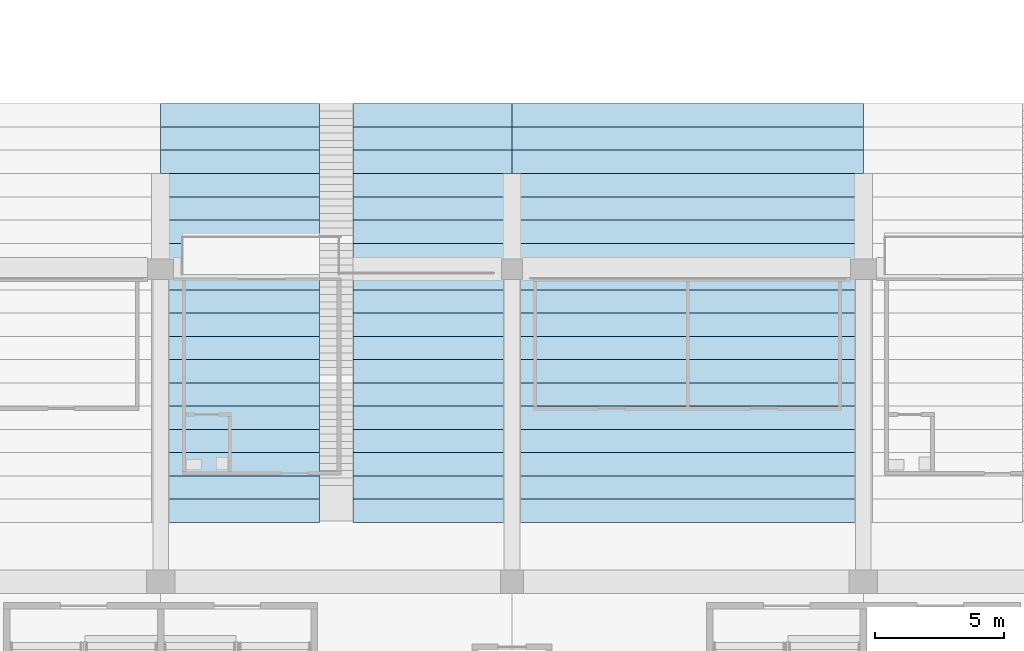
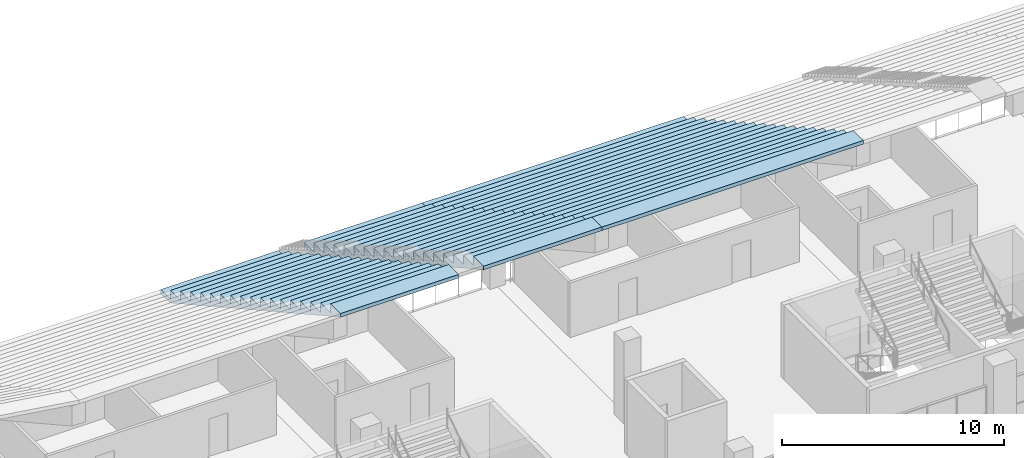
# One storey, part 117 of 249: 2 slabs.
"""IFC4 building model written with IfcOpenShell, lengths in metres."""

from ifc_helpers import new_model, si_unit, direction, frame, origin, place, context, subcontext, project, spatial, faceted_brep, material, layer, layer_set, type_object, element, save


model = new_model("IFC4")

# Units and contexts
model_context = context("Model", 3, precision=1e-05, world=origin(), true_north=direction((0.0, 1.0)))
body_context = subcontext(model_context, "Body", "Model", "MODEL_VIEW")
ifc_project = project(units=[si_unit("LENGTHUNIT", "METRE"), si_unit("AREAUNIT", "SQUARE_METRE"), si_unit("VOLUMEUNIT", "CUBIC_METRE"), si_unit("PLANEANGLEUNIT", "RADIAN"), si_unit("MASSUNIT", "GRAM", prefix="KILO")], contexts=[model_context])

# Site, building, storey
site_placement = place(None, origin())
site = spatial("IfcSite", under=ifc_project, at=site_placement, CompositionType="ELEMENT")
building_placement = place(site_placement, origin())
building = spatial("IfcBuilding", under=site, at=building_placement, Name="Ogive Plaza Stadium", CompositionType="ELEMENT")
storey_placement = place(building_placement, frame((0.0, 0.0, 13.5)))
storey = spatial("IfcBuildingStorey", under=building, at=storey_placement, Name="L03", CompositionType="ELEMENT", Elevation=13.5)

# Slabs
ifc_material = material(Name="Concrete C45/55 precast", Category="concrete")
ifc_layer = layer(ifc_material, 0.699951171875)
ifc_layer_set = layer_set([ifc_layer], Name="Concrete C45/55 precast")
slab_type = type_object("IfcSlabType", Name="Seating tier UT 700", PredefinedType="USERDEFINED", material=ifc_layer_set)
slab_1_placement = place(storey_placement, origin())
element("IfcSlab", 1, at=slab_1_placement, inside=storey, type_object=slab_type, Name="Stand UT B14", ObjectType="SEATING TIER", PredefinedType="USERDEFINED", context=body_context, shape_type="Brep", body=[
    faceted_brep([(-6.800048828125, -74.0, 0.5), (-6.800048828125, -74.89990234375, 0.5), (6.800048828125, -74.89990234375, 0.5), (6.800048828125, -74.0, 0.5), (-6.800048828125, -74.89990234375, 0.300048828125), (6.800048828125, -74.0, 0.25), (6.800048828125, -74.89990234375, 0.300048828125), (-6.800048828125, -74.0, 0.25), (6.800048828125, -74.89990234375, 1.0), (-6.800048828125, -74.89990234375, 1.0), (6.800048828125, -75.800048828125, 1.0), (6.800048828125, -75.800048828125, 0.800048828125), (6.800048828125, -75.800048828125, 1.5), (6.800048828125, -76.699951171875, 1.5), (6.800048828125, -76.699951171875, 1.300048828125), (6.800048828125, -76.699951171875, 2.0), (6.800048828125, -77.60009765625, 2.0), (6.800048828125, -77.60009765625, 1.800048828125), (6.800048828125, -77.60009765625, 2.5), (6.800048828125, -78.5, 2.5), (6.800048828125, -78.5, 2.300048828125), (6.800048828125, -78.5, 3.0), (6.800048828125, -79.39990234375, 3.0), (6.800048828125, -79.39990234375, 2.800048828125), (6.800048828125, -79.39990234375, 3.5), (6.800048828125, -80.300048828125, 3.5), (6.800048828125, -80.300048828125, 3.300048828125), (6.800048828125, -80.300048828125, 4.0), (6.800048828125, -81.199951171875, 4.0), (6.800048828125, -81.199951171875, 3.800048828125), (6.800048828125, -81.199951171875, 4.5), (6.800048828125, -82.10009765625, 4.5), (6.800048828125, -82.10009765625, 4.300048828125), (6.800048828125, -82.10009765625, 5.0), (6.800048828125, -83.0, 5.0), (6.800048828125, -83.0, 4.800048828125), (6.800048828125, -83.0, 5.5), (6.800048828125, -83.89990234375, 5.5), (6.800048828125, -83.89990234375, 5.300048828125), (6.800048828125, -83.89990234375, 6.0), (6.800048828125, -84.800048828125, 6.0), (6.800048828125, -84.800048828125, 5.800048828125), (6.800048828125, -84.800048828125, 6.5), (6.800048828125, -85.699951171875, 6.5), (6.800048828125, -85.699951171875, 6.300048828125), (6.800048828125, -85.699951171875, 7.0), (6.800048828125, -86.60009765625, 7.0), (6.800048828125, -86.60009765625, 6.800048828125), (6.800048828125, -86.60009765625, 7.5), (6.800048828125, -87.5, 7.5), (6.800048828125, -87.5, 7.300048828125), (6.800048828125, -87.5, 8.0), (6.800048828125, -88.39990234375, 8.0), (6.800048828125, -88.39990234375, 7.800048828125), (6.800048828125, -88.39990234375, 8.5), (6.800048828125, -89.300048828125, 8.5), (6.800048828125, -89.300048828125, 8.300048828125), (6.800048828125, -89.300048828125, 9.0), (6.800048828125, -90.199951171875, 9.0), (6.800048828125, -90.199951171875, 8.800048828125), (-6.800048828125, -75.800048828125, 1.0), (-6.800048828125, -75.800048828125, 0.800048828125), (-6.800048828125, -76.699951171875, 1.5), (-6.800048828125, -75.800048828125, 1.5), (-6.800048828125, -76.699951171875, 1.300048828125), (-6.800048828125, -77.60009765625, 2.0), (-6.800048828125, -76.699951171875, 2.0), (-6.800048828125, -77.60009765625, 1.800048828125), (-6.800048828125, -78.5, 2.5), (-6.800048828125, -77.60009765625, 2.5), (-6.800048828125, -78.5, 2.300048828125), (-6.800048828125, -79.39990234375, 3.0), (-6.800048828125, -78.5, 3.0), (-6.800048828125, -79.39990234375, 2.800048828125), (-6.800048828125, -80.300048828125, 3.5), (-6.800048828125, -79.39990234375, 3.5), (-6.800048828125, -80.300048828125, 3.300048828125), (-6.800048828125, -81.199951171875, 4.0), (-6.800048828125, -80.300048828125, 4.0), (-6.800048828125, -81.199951171875, 3.800048828125), (-6.800048828125, -82.10009765625, 4.5), (-6.800048828125, -81.199951171875, 4.5), (-6.800048828125, -82.10009765625, 4.300048828125), (-6.800048828125, -83.0, 5.0), (-6.800048828125, -82.10009765625, 5.0), (-6.800048828125, -83.0, 4.800048828125), (-6.800048828125, -83.89990234375, 5.5), (-6.800048828125, -83.0, 5.5), (-6.800048828125, -83.89990234375, 5.300048828125), (-6.800048828125, -84.800048828125, 6.0), (-6.800048828125, -83.89990234375, 6.0), (-6.800048828125, -84.800048828125, 5.800048828125), (-6.800048828125, -85.699951171875, 6.5), (-6.800048828125, -84.800048828125, 6.5), (-6.800048828125, -85.699951171875, 6.300048828125), (-6.800048828125, -86.60009765625, 7.0), (-6.800048828125, -85.699951171875, 7.0), (-6.800048828125, -86.60009765625, 6.800048828125), (-6.800048828125, -87.5, 7.5), (-6.800048828125, -86.60009765625, 7.5), (-6.800048828125, -87.5, 7.300048828125), (-6.800048828125, -88.39990234375, 8.0), (-6.800048828125, -87.5, 8.0), (-6.800048828125, -88.39990234375, 7.800048828125), (-6.800048828125, -89.300048828125, 8.5), (-6.800048828125, -88.39990234375, 8.5), (-6.800048828125, -89.300048828125, 8.300048828125), (-6.800048828125, -90.199951171875, 9.0), (-6.800048828125, -89.300048828125, 9.0), (-6.800048828125, -90.199951171875, 8.800048828125)], [[[0, 1, 2]], [[2, 3, 0]], [[4, 5, 6]], [[4, 7, 5]], [[8, 2, 1]], [[1, 9, 8]], [[6, 5, 3]], [[6, 3, 2]], [[2, 8, 10]], [[10, 11, 6]], [[6, 2, 10]], [[10, 12, 13]], [[13, 14, 11]], [[11, 10, 13]], [[13, 15, 16]], [[16, 17, 14]], [[14, 13, 16]], [[16, 18, 19]], [[19, 20, 17]], [[17, 16, 19]], [[19, 21, 22]], [[22, 23, 20]], [[20, 19, 22]], [[22, 24, 25]], [[25, 26, 23]], [[23, 22, 25]], [[25, 27, 28]], [[28, 29, 26]], [[26, 25, 28]], [[28, 30, 31]], [[31, 32, 29]], [[29, 28, 31]], [[31, 33, 34]], [[34, 35, 32]], [[32, 31, 34]], [[34, 36, 37]], [[37, 38, 35]], [[35, 34, 37]], [[37, 39, 40]], [[40, 41, 38]], [[38, 37, 40]], [[40, 42, 43]], [[43, 44, 41]], [[41, 40, 43]], [[43, 45, 46]], [[46, 47, 44]], [[44, 43, 46]], [[46, 48, 49]], [[49, 50, 47]], [[47, 46, 49]], [[49, 51, 52]], [[52, 53, 50]], [[50, 49, 52]], [[52, 54, 55]], [[55, 56, 53]], [[53, 52, 55]], [[55, 57, 58]], [[58, 59, 56]], [[56, 55, 58]], [[3, 5, 7]], [[7, 0, 3]], [[0, 7, 4]], [[4, 1, 0]], [[60, 9, 1]], [[1, 4, 61]], [[61, 60, 1]], [[62, 63, 60]], [[60, 61, 64]], [[64, 62, 60]], [[65, 66, 62]], [[62, 64, 67]], [[67, 65, 62]], [[68, 69, 65]], [[65, 67, 70]], [[70, 68, 65]], [[71, 72, 68]], [[68, 70, 73]], [[73, 71, 68]], [[74, 75, 71]], [[71, 73, 76]], [[76, 74, 71]], [[77, 78, 74]], [[74, 76, 79]], [[79, 77, 74]], [[80, 81, 77]], [[77, 79, 82]], [[82, 80, 77]], [[83, 84, 80]], [[80, 82, 85]], [[85, 83, 80]], [[86, 87, 83]], [[83, 85, 88]], [[88, 86, 83]], [[89, 90, 86]], [[86, 88, 91]], [[91, 89, 86]], [[92, 93, 89]], [[89, 91, 94]], [[94, 92, 89]], [[95, 96, 92]], [[92, 94, 97]], [[97, 95, 92]], [[98, 99, 95]], [[95, 97, 100]], [[100, 98, 95]], [[101, 102, 98]], [[98, 100, 103]], [[103, 101, 98]], [[104, 105, 101]], [[101, 103, 106]], [[106, 104, 101]], [[107, 108, 104]], [[104, 106, 109]], [[109, 107, 104]], [[9, 60, 10]], [[10, 8, 9]], [[61, 6, 11]], [[61, 4, 6]], [[64, 11, 14]], [[64, 61, 11]], [[67, 14, 17]], [[67, 64, 14]], [[70, 17, 20]], [[70, 67, 17]], [[73, 20, 23]], [[73, 70, 20]], [[76, 23, 26]], [[76, 73, 23]], [[79, 26, 29]], [[79, 76, 26]], [[82, 29, 32]], [[82, 79, 29]], [[85, 32, 35]], [[85, 82, 32]], [[88, 35, 38]], [[88, 85, 35]], [[91, 38, 41]], [[91, 88, 38]], [[94, 41, 44]], [[94, 91, 41]], [[97, 44, 47]], [[97, 94, 44]], [[100, 47, 50]], [[100, 97, 47]], [[12, 10, 60]], [[60, 63, 12]], [[63, 62, 13]], [[13, 12, 63]], [[15, 13, 62]], [[62, 66, 15]], [[66, 65, 16]], [[16, 15, 66]], [[18, 16, 65]], [[65, 69, 18]], [[69, 68, 19]], [[19, 18, 69]], [[21, 19, 68]], [[68, 72, 21]], [[72, 71, 22]], [[22, 21, 72]], [[24, 22, 71]], [[71, 75, 24]], [[75, 74, 25]], [[25, 24, 75]], [[27, 25, 74]], [[74, 78, 27]], [[78, 77, 28]], [[28, 27, 78]], [[30, 28, 77]], [[77, 81, 30]], [[81, 80, 31]], [[31, 30, 81]], [[33, 31, 80]], [[80, 84, 33]], [[84, 83, 34]], [[34, 33, 84]], [[36, 34, 83]], [[83, 87, 36]], [[87, 86, 37]], [[37, 36, 87]], [[39, 37, 86]], [[86, 90, 39]], [[90, 89, 40]], [[40, 39, 90]], [[42, 40, 89]], [[89, 93, 42]], [[93, 92, 43]], [[43, 42, 93]], [[45, 43, 92]], [[92, 96, 45]], [[96, 95, 46]], [[46, 45, 96]], [[48, 46, 95]], [[95, 99, 48]], [[99, 98, 49]], [[49, 48, 99]], [[51, 49, 98]], [[98, 102, 51]], [[102, 101, 52]], [[52, 51, 102]], [[103, 50, 53]], [[103, 100, 50]], [[106, 53, 56]], [[106, 103, 53]], [[109, 56, 59]], [[109, 106, 56]], [[54, 52, 101]], [[101, 105, 54]], [[105, 104, 55]], [[55, 54, 105]], [[57, 55, 104]], [[104, 108, 57]], [[108, 107, 58]], [[58, 57, 108]], [[107, 109, 59]], [[59, 58, 107]]]),
])
slab_2_placement = place(storey_placement, origin())
element("IfcSlab", 2, at=slab_2_placement, inside=storey, type_object=slab_type, Name="Stand UT B15", ObjectType="SEATING TIER", PredefinedType="USERDEFINED", context=body_context, shape_type="Brep", body=[
    faceted_brep([(-12.949951171875, -74.0, 0.5), (-12.949951171875, -74.89990234375, 0.5), (-6.800048828125, -74.89990234375, 0.5), (-6.800048828125, -74.0, 0.5), (-20.39990234375, -74.0, 0.5), (-20.39990234375, -74.89990234375, 0.5), (-14.25, -74.89990234375, 0.5), (-14.25, -74.0, 0.5), (-12.949951171875, -74.89990234375, 0.300048828125), (-6.800048828125, -74.0, 0.25), (-6.800048828125, -74.89990234375, 0.300048828125), (-12.949951171875, -74.0, 0.25), (-20.39990234375, -74.89990234375, 0.300048828125), (-14.25, -74.0, 0.25), (-14.25, -74.89990234375, 0.300048828125), (-20.39990234375, -74.0, 0.25), (-6.800048828125, -74.89990234375, 1.0), (-12.949951171875, -74.89990234375, 1.0), (-14.25, -74.89990234375, 1.0), (-20.39990234375, -74.89990234375, 1.0), (-6.800048828125, -75.800048828125, 1.0), (-6.800048828125, -75.800048828125, 0.800048828125), (-6.800048828125, -75.800048828125, 1.5), (-6.800048828125, -76.699951171875, 1.5), (-6.800048828125, -76.699951171875, 1.300048828125), (-6.800048828125, -76.699951171875, 2.0), (-6.800048828125, -77.60009765625, 2.0), (-6.800048828125, -77.60009765625, 1.800048828125), (-6.800048828125, -77.60009765625, 2.5), (-6.800048828125, -78.5, 2.5), (-6.800048828125, -78.5, 2.300048828125), (-6.800048828125, -78.5, 3.0), (-6.800048828125, -79.39990234375, 3.0), (-6.800048828125, -79.39990234375, 2.800048828125), (-6.800048828125, -79.39990234375, 3.5), (-6.800048828125, -80.300048828125, 3.5), (-6.800048828125, -80.300048828125, 3.300048828125), (-6.800048828125, -80.300048828125, 4.0), (-6.800048828125, -81.199951171875, 4.0), (-6.800048828125, -81.199951171875, 3.800048828125), (-6.800048828125, -81.199951171875, 4.5), (-6.800048828125, -82.10009765625, 4.5), (-6.800048828125, -82.10009765625, 4.300048828125), (-6.800048828125, -82.10009765625, 5.0), (-6.800048828125, -83.0, 5.0), (-6.800048828125, -83.0, 4.800048828125), (-6.800048828125, -83.0, 5.5), (-6.800048828125, -83.89990234375, 5.5), (-6.800048828125, -83.89990234375, 5.300048828125), (-6.800048828125, -83.89990234375, 6.0), (-6.800048828125, -84.800048828125, 6.0), (-6.800048828125, -84.800048828125, 5.800048828125), (-6.800048828125, -84.800048828125, 6.5), (-6.800048828125, -85.699951171875, 6.5), (-6.800048828125, -85.699951171875, 6.300048828125), (-6.800048828125, -85.699951171875, 7.0), (-6.800048828125, -86.60009765625, 7.0), (-6.800048828125, -86.60009765625, 6.800048828125), (-6.800048828125, -86.60009765625, 7.5), (-6.800048828125, -87.5, 7.5), (-6.800048828125, -87.5, 7.300048828125), (-6.800048828125, -87.5, 8.0), (-6.800048828125, -88.39990234375, 8.0), (-6.800048828125, -88.39990234375, 7.800048828125), (-6.800048828125, -88.39990234375, 8.5), (-6.800048828125, -89.300048828125, 8.5), (-6.800048828125, -89.300048828125, 8.300048828125), (-6.800048828125, -89.300048828125, 9.0), (-6.800048828125, -90.199951171875, 9.0), (-6.800048828125, -90.199951171875, 8.800048828125), (-12.949951171875, -75.800048828125, 1.0), (-12.949951171875, -75.800048828125, 0.800048828125), (-12.949951171875, -76.699951171875, 1.5), (-12.949951171875, -75.800048828125, 1.5), (-12.949951171875, -76.699951171875, 1.300048828125), (-12.949951171875, -77.60009765625, 2.0), (-12.949951171875, -76.699951171875, 2.0), (-12.949951171875, -77.60009765625, 1.800048828125), (-12.949951171875, -78.5, 2.5), (-12.949951171875, -77.60009765625, 2.5), (-12.949951171875, -78.5, 2.300048828125), (-12.949951171875, -79.39990234375, 3.0), (-12.949951171875, -78.5, 3.0), (-12.949951171875, -79.39990234375, 2.800048828125), (-12.949951171875, -80.300048828125, 3.5), (-12.949951171875, -79.39990234375, 3.5), (-12.949951171875, -80.300048828125, 3.300048828125), (-12.949951171875, -81.199951171875, 4.0), (-12.949951171875, -80.300048828125, 4.0), (-12.949951171875, -81.199951171875, 3.800048828125), (-12.949951171875, -82.10009765625, 4.5), (-12.949951171875, -81.199951171875, 4.5), (-12.949951171875, -82.10009765625, 4.300048828125), (-12.949951171875, -83.0, 5.0), (-12.949951171875, -82.10009765625, 5.0), (-12.949951171875, -83.0, 4.800048828125), (-12.949951171875, -83.89990234375, 5.5), (-12.949951171875, -83.0, 5.5), (-12.949951171875, -83.89990234375, 5.300048828125), (-12.949951171875, -84.800048828125, 6.0), (-12.949951171875, -83.89990234375, 6.0), (-12.949951171875, -84.800048828125, 5.800048828125), (-12.949951171875, -85.699951171875, 6.5), (-12.949951171875, -84.800048828125, 6.5), (-12.949951171875, -85.699951171875, 6.300048828125), (-12.949951171875, -86.60009765625, 7.0), (-12.949951171875, -85.699951171875, 7.0), (-12.949951171875, -86.60009765625, 6.800048828125), (-12.949951171875, -87.5, 7.5), (-12.949951171875, -86.60009765625, 7.5), (-12.949951171875, -87.5, 7.300048828125), (-12.949951171875, -88.39990234375, 8.0), (-12.949951171875, -87.5, 8.0), (-12.949951171875, -88.39990234375, 7.800048828125), (-12.949951171875, -89.300048828125, 8.5), (-12.949951171875, -88.39990234375, 8.5), (-12.949951171875, -89.300048828125, 8.300048828125), (-12.949951171875, -90.199951171875, 9.0), (-12.949951171875, -89.300048828125, 9.0), (-12.949951171875, -90.199951171875, 8.800048828125), (-14.25, -75.800048828125, 1.0), (-14.25, -75.800048828125, 0.800048828125), (-14.25, -75.800048828125, 1.5), (-14.25, -76.699951171875, 1.5), (-14.25, -76.699951171875, 1.300048828125), (-14.25, -76.699951171875, 2.0), (-14.25, -77.60009765625, 2.0), (-14.25, -77.60009765625, 1.800048828125), (-14.25, -77.60009765625, 2.5), (-14.25, -78.5, 2.5), (-14.25, -78.5, 2.300048828125), (-14.25, -78.5, 3.0), (-14.25, -79.39990234375, 3.0), (-14.25, -79.39990234375, 2.800048828125), (-14.25, -79.39990234375, 3.5), (-14.25, -80.300048828125, 3.5), (-14.25, -80.300048828125, 3.300048828125), (-14.25, -80.300048828125, 4.0), (-14.25, -81.199951171875, 4.0), (-14.25, -81.199951171875, 3.800048828125), (-14.25, -81.199951171875, 4.5), (-14.25, -82.10009765625, 4.5), (-14.25, -82.10009765625, 4.300048828125), (-14.25, -82.10009765625, 5.0), (-14.25, -83.0, 5.0), (-14.25, -83.0, 4.800048828125), (-14.25, -83.0, 5.5), (-14.25, -83.89990234375, 5.5), (-14.25, -83.89990234375, 5.300048828125), (-14.25, -83.89990234375, 6.0), (-14.25, -84.800048828125, 6.0), (-14.25, -84.800048828125, 5.800048828125), (-14.25, -84.800048828125, 6.5), (-14.25, -85.699951171875, 6.5), (-14.25, -85.699951171875, 6.300048828125), (-14.25, -85.699951171875, 7.0), (-14.25, -86.60009765625, 7.0), (-14.25, -86.60009765625, 6.800048828125), (-14.25, -86.60009765625, 7.5), (-14.25, -87.5, 7.5), (-14.25, -87.5, 7.300048828125), (-14.25, -87.5, 8.0), (-14.25, -88.39990234375, 8.0), (-14.25, -88.39990234375, 7.800048828125), (-14.25, -88.39990234375, 8.5), (-14.25, -89.300048828125, 8.5), (-14.25, -89.300048828125, 8.300048828125), (-14.25, -89.300048828125, 9.0), (-14.25, -90.199951171875, 9.0), (-14.25, -90.199951171875, 8.800048828125), (-20.39990234375, -75.800048828125, 1.0), (-20.39990234375, -75.800048828125, 0.800048828125), (-20.39990234375, -76.699951171875, 1.5), (-20.39990234375, -75.800048828125, 1.5), (-20.39990234375, -76.699951171875, 1.300048828125), (-20.39990234375, -77.60009765625, 2.0), (-20.39990234375, -76.699951171875, 2.0), (-20.39990234375, -77.60009765625, 1.800048828125), (-20.39990234375, -78.5, 2.5), (-20.39990234375, -77.60009765625, 2.5), (-20.39990234375, -78.5, 2.300048828125), (-20.39990234375, -79.39990234375, 3.0), (-20.39990234375, -78.5, 3.0), (-20.39990234375, -79.39990234375, 2.800048828125), (-20.39990234375, -80.300048828125, 3.5), (-20.39990234375, -79.39990234375, 3.5), (-20.39990234375, -80.300048828125, 3.300048828125), (-20.39990234375, -81.199951171875, 4.0), (-20.39990234375, -80.300048828125, 4.0), (-20.39990234375, -81.199951171875, 3.800048828125), (-20.39990234375, -82.10009765625, 4.5), (-20.39990234375, -81.199951171875, 4.5), (-20.39990234375, -82.10009765625, 4.300048828125), (-20.39990234375, -83.0, 5.0), (-20.39990234375, -82.10009765625, 5.0), (-20.39990234375, -83.0, 4.800048828125), (-20.39990234375, -83.89990234375, 5.5), (-20.39990234375, -83.0, 5.5), (-20.39990234375, -83.89990234375, 5.300048828125), (-20.39990234375, -84.800048828125, 6.0), (-20.39990234375, -83.89990234375, 6.0), (-20.39990234375, -84.800048828125, 5.800048828125), (-20.39990234375, -85.699951171875, 6.5), (-20.39990234375, -84.800048828125, 6.5), (-20.39990234375, -85.699951171875, 6.300048828125), (-20.39990234375, -86.60009765625, 7.0), (-20.39990234375, -85.699951171875, 7.0), (-20.39990234375, -86.60009765625, 6.800048828125), (-20.39990234375, -87.5, 7.5), (-20.39990234375, -86.60009765625, 7.5), (-20.39990234375, -87.5, 7.300048828125), (-20.39990234375, -88.39990234375, 8.0), (-20.39990234375, -87.5, 8.0), (-20.39990234375, -88.39990234375, 7.800048828125), (-20.39990234375, -89.300048828125, 8.5), (-20.39990234375, -88.39990234375, 8.5), (-20.39990234375, -89.300048828125, 8.300048828125), (-20.39990234375, -90.199951171875, 9.0), (-20.39990234375, -89.300048828125, 9.0), (-20.39990234375, -90.199951171875, 8.800048828125)], [[[0, 1, 2]], [[2, 3, 0]], [[4, 5, 6]], [[6, 7, 4]], [[8, 9, 10]], [[8, 11, 9]], [[12, 13, 14]], [[12, 15, 13]], [[16, 2, 1]], [[1, 17, 16]], [[18, 6, 5]], [[5, 19, 18]], [[10, 9, 3]], [[10, 3, 2]], [[2, 16, 20]], [[20, 21, 10]], [[10, 2, 20]], [[20, 22, 23]], [[23, 24, 21]], [[21, 20, 23]], [[23, 25, 26]], [[26, 27, 24]], [[24, 23, 26]], [[26, 28, 29]], [[29, 30, 27]], [[27, 26, 29]], [[29, 31, 32]], [[32, 33, 30]], [[30, 29, 32]], [[32, 34, 35]], [[35, 36, 33]], [[33, 32, 35]], [[35, 37, 38]], [[38, 39, 36]], [[36, 35, 38]], [[38, 40, 41]], [[41, 42, 39]], [[39, 38, 41]], [[41, 43, 44]], [[44, 45, 42]], [[42, 41, 44]], [[44, 46, 47]], [[47, 48, 45]], [[45, 44, 47]], [[47, 49, 50]], [[50, 51, 48]], [[48, 47, 50]], [[50, 52, 53]], [[53, 54, 51]], [[51, 50, 53]], [[53, 55, 56]], [[56, 57, 54]], [[54, 53, 56]], [[56, 58, 59]], [[59, 60, 57]], [[57, 56, 59]], [[59, 61, 62]], [[62, 63, 60]], [[60, 59, 62]], [[62, 64, 65]], [[65, 66, 63]], [[63, 62, 65]], [[65, 67, 68]], [[68, 69, 66]], [[66, 65, 68]], [[3, 9, 11]], [[11, 0, 3]], [[7, 13, 15]], [[15, 4, 7]], [[0, 11, 8]], [[8, 1, 0]], [[70, 17, 1]], [[1, 8, 71]], [[71, 70, 1]], [[72, 73, 70]], [[70, 71, 74]], [[74, 72, 70]], [[75, 76, 72]], [[72, 74, 77]], [[77, 75, 72]], [[78, 79, 75]], [[75, 77, 80]], [[80, 78, 75]], [[81, 82, 78]], [[78, 80, 83]], [[83, 81, 78]], [[84, 85, 81]], [[81, 83, 86]], [[86, 84, 81]], [[87, 88, 84]], [[84, 86, 89]], [[89, 87, 84]], [[90, 91, 87]], [[87, 89, 92]], [[92, 90, 87]], [[93, 94, 90]], [[90, 92, 95]], [[95, 93, 90]], [[96, 97, 93]], [[93, 95, 98]], [[98, 96, 93]], [[99, 100, 96]], [[96, 98, 101]], [[101, 99, 96]], [[102, 103, 99]], [[99, 101, 104]], [[104, 102, 99]], [[105, 106, 102]], [[102, 104, 107]], [[107, 105, 102]], [[108, 109, 105]], [[105, 107, 110]], [[110, 108, 105]], [[111, 112, 108]], [[108, 110, 113]], [[113, 111, 108]], [[114, 115, 111]], [[111, 113, 116]], [[116, 114, 111]], [[117, 118, 114]], [[114, 116, 119]], [[119, 117, 114]], [[14, 13, 7]], [[14, 7, 6]], [[6, 18, 120]], [[120, 121, 14]], [[14, 6, 120]], [[120, 122, 123]], [[123, 124, 121]], [[121, 120, 123]], [[123, 125, 126]], [[126, 127, 124]], [[124, 123, 126]], [[126, 128, 129]], [[129, 130, 127]], [[127, 126, 129]], [[129, 131, 132]], [[132, 133, 130]], [[130, 129, 132]], [[132, 134, 135]], [[135, 136, 133]], [[133, 132, 135]], [[135, 137, 138]], [[138, 139, 136]], [[136, 135, 138]], [[138, 140, 141]], [[141, 142, 139]], [[139, 138, 141]], [[141, 143, 144]], [[144, 145, 142]], [[142, 141, 144]], [[144, 146, 147]], [[147, 148, 145]], [[145, 144, 147]], [[147, 149, 150]], [[150, 151, 148]], [[148, 147, 150]], [[150, 152, 153]], [[153, 154, 151]], [[151, 150, 153]], [[153, 155, 156]], [[156, 157, 154]], [[154, 153, 156]], [[156, 158, 159]], [[159, 160, 157]], [[157, 156, 159]], [[159, 161, 162]], [[162, 163, 160]], [[160, 159, 162]], [[162, 164, 165]], [[165, 166, 163]], [[163, 162, 165]], [[165, 167, 168]], [[168, 169, 166]], [[166, 165, 168]], [[4, 15, 12]], [[12, 5, 4]], [[170, 19, 5]], [[5, 12, 171]], [[171, 170, 5]], [[172, 173, 170]], [[170, 171, 174]], [[174, 172, 170]], [[175, 176, 172]], [[172, 174, 177]], [[177, 175, 172]], [[178, 179, 175]], [[175, 177, 180]], [[180, 178, 175]], [[181, 182, 178]], [[178, 180, 183]], [[183, 181, 178]], [[184, 185, 181]], [[181, 183, 186]], [[186, 184, 181]], [[187, 188, 184]], [[184, 186, 189]], [[189, 187, 184]], [[190, 191, 187]], [[187, 189, 192]], [[192, 190, 187]], [[193, 194, 190]], [[190, 192, 195]], [[195, 193, 190]], [[196, 197, 193]], [[193, 195, 198]], [[198, 196, 193]], [[199, 200, 196]], [[196, 198, 201]], [[201, 199, 196]], [[202, 203, 199]], [[199, 201, 204]], [[204, 202, 199]], [[205, 206, 202]], [[202, 204, 207]], [[207, 205, 202]], [[208, 209, 205]], [[205, 207, 210]], [[210, 208, 205]], [[211, 212, 208]], [[208, 210, 213]], [[213, 211, 208]], [[214, 215, 211]], [[211, 213, 216]], [[216, 214, 211]], [[217, 218, 214]], [[214, 216, 219]], [[219, 217, 214]], [[17, 70, 20]], [[20, 16, 17]], [[19, 170, 120]], [[120, 18, 19]], [[71, 10, 21]], [[71, 8, 10]], [[171, 14, 121]], [[171, 12, 14]], [[74, 21, 24]], [[74, 71, 21]], [[174, 121, 124]], [[174, 171, 121]], [[77, 24, 27]], [[77, 74, 24]], [[177, 124, 127]], [[177, 174, 124]], [[80, 27, 30]], [[80, 77, 27]], [[180, 127, 130]], [[180, 177, 127]], [[83, 30, 33]], [[83, 80, 30]], [[183, 130, 133]], [[183, 180, 130]], [[86, 33, 36]], [[86, 83, 33]], [[186, 133, 136]], [[186, 183, 133]], [[89, 36, 39]], [[89, 86, 36]], [[189, 136, 139]], [[189, 186, 136]], [[92, 39, 42]], [[92, 89, 39]], [[192, 139, 142]], [[192, 189, 139]], [[95, 42, 45]], [[95, 92, 42]], [[195, 142, 145]], [[195, 192, 142]], [[98, 45, 48]], [[98, 95, 45]], [[198, 145, 148]], [[198, 195, 145]], [[101, 48, 51]], [[101, 98, 48]], [[201, 148, 151]], [[201, 198, 148]], [[104, 51, 54]], [[104, 101, 51]], [[204, 151, 154]], [[204, 201, 151]], [[107, 54, 57]], [[107, 104, 54]], [[207, 154, 157]], [[207, 204, 154]], [[110, 57, 60]], [[110, 107, 57]], [[210, 157, 160]], [[210, 207, 157]], [[22, 20, 70]], [[70, 73, 22]], [[122, 120, 170]], [[170, 173, 122]], [[73, 72, 23]], [[23, 22, 73]], [[173, 172, 123]], [[123, 122, 173]], [[25, 23, 72]], [[72, 76, 25]], [[125, 123, 172]], [[172, 176, 125]], [[76, 75, 26]], [[26, 25, 76]], [[176, 175, 126]], [[126, 125, 176]], [[28, 26, 75]], [[75, 79, 28]], [[128, 126, 175]], [[175, 179, 128]], [[79, 78, 29]], [[29, 28, 79]], [[179, 178, 129]], [[129, 128, 179]], [[31, 29, 78]], [[78, 82, 31]], [[131, 129, 178]], [[178, 182, 131]], [[82, 81, 32]], [[32, 31, 82]], [[182, 181, 132]], [[132, 131, 182]], [[34, 32, 81]], [[81, 85, 34]], [[134, 132, 181]], [[181, 185, 134]], [[85, 84, 35]], [[35, 34, 85]], [[185, 184, 135]], [[135, 134, 185]], [[37, 35, 84]], [[84, 88, 37]], [[137, 135, 184]], [[184, 188, 137]], [[88, 87, 38]], [[38, 37, 88]], [[188, 187, 138]], [[138, 137, 188]], [[40, 38, 87]], [[87, 91, 40]], [[140, 138, 187]], [[187, 191, 140]], [[91, 90, 41]], [[41, 40, 91]], [[191, 190, 141]], [[141, 140, 191]], [[43, 41, 90]], [[90, 94, 43]], [[143, 141, 190]], [[190, 194, 143]], [[94, 93, 44]], [[44, 43, 94]], [[194, 193, 144]], [[144, 143, 194]], [[46, 44, 93]], [[93, 97, 46]], [[146, 144, 193]], [[193, 197, 146]], [[97, 96, 47]], [[47, 46, 97]], [[197, 196, 147]], [[147, 146, 197]], [[49, 47, 96]], [[96, 100, 49]], [[149, 147, 196]], [[196, 200, 149]], [[100, 99, 50]], [[50, 49, 100]], [[200, 199, 150]], [[150, 149, 200]], [[52, 50, 99]], [[99, 103, 52]], [[152, 150, 199]], [[199, 203, 152]], [[103, 102, 53]], [[53, 52, 103]], [[203, 202, 153]], [[153, 152, 203]], [[55, 53, 102]], [[102, 106, 55]], [[155, 153, 202]], [[202, 206, 155]], [[106, 105, 56]], [[56, 55, 106]], [[206, 205, 156]], [[156, 155, 206]], [[58, 56, 105]], [[105, 109, 58]], [[158, 156, 205]], [[205, 209, 158]], [[109, 108, 59]], [[59, 58, 109]], [[209, 208, 159]], [[159, 158, 209]], [[61, 59, 108]], [[108, 112, 61]], [[161, 159, 208]], [[208, 212, 161]], [[112, 111, 62]], [[62, 61, 112]], [[212, 211, 162]], [[162, 161, 212]], [[113, 60, 63]], [[113, 110, 60]], [[213, 160, 163]], [[213, 210, 160]], [[116, 63, 66]], [[116, 113, 63]], [[216, 163, 166]], [[216, 213, 163]], [[119, 66, 69]], [[119, 116, 66]], [[219, 166, 169]], [[219, 216, 166]], [[64, 62, 111]], [[111, 115, 64]], [[164, 162, 211]], [[211, 215, 164]], [[115, 114, 65]], [[65, 64, 115]], [[215, 214, 165]], [[165, 164, 215]], [[67, 65, 114]], [[114, 118, 67]], [[167, 165, 214]], [[214, 218, 167]], [[118, 117, 68]], [[68, 67, 118]], [[218, 217, 168]], [[168, 167, 218]], [[117, 119, 69]], [[69, 68, 117]], [[217, 219, 169]], [[169, 168, 217]]]),
])

save(model, "model.ifc")
